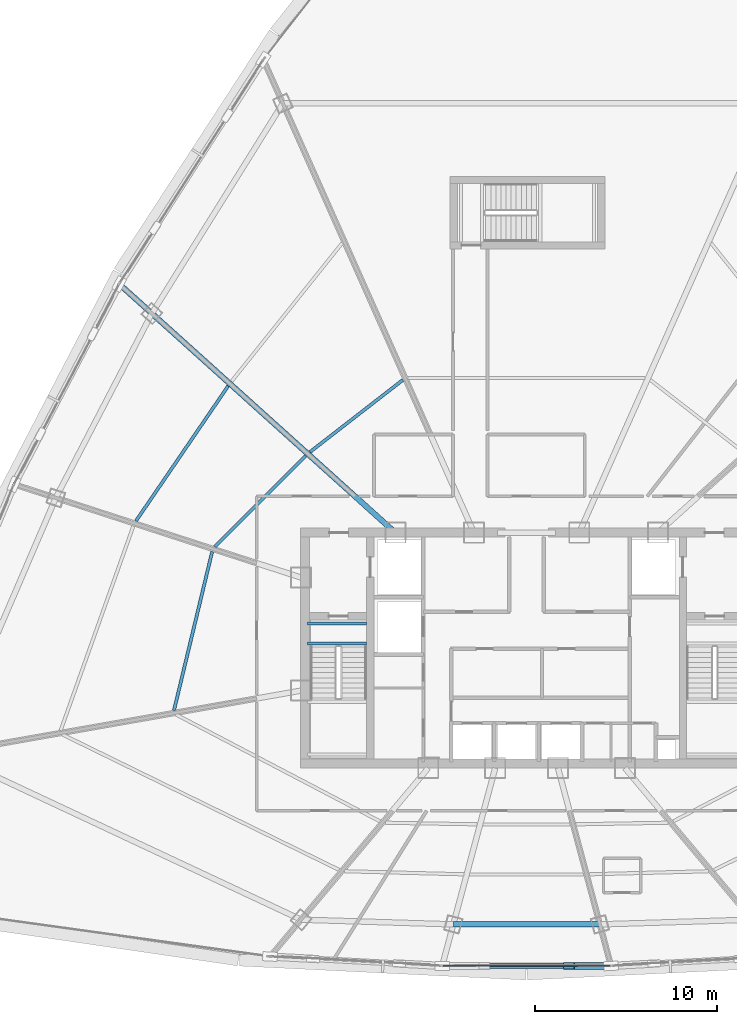
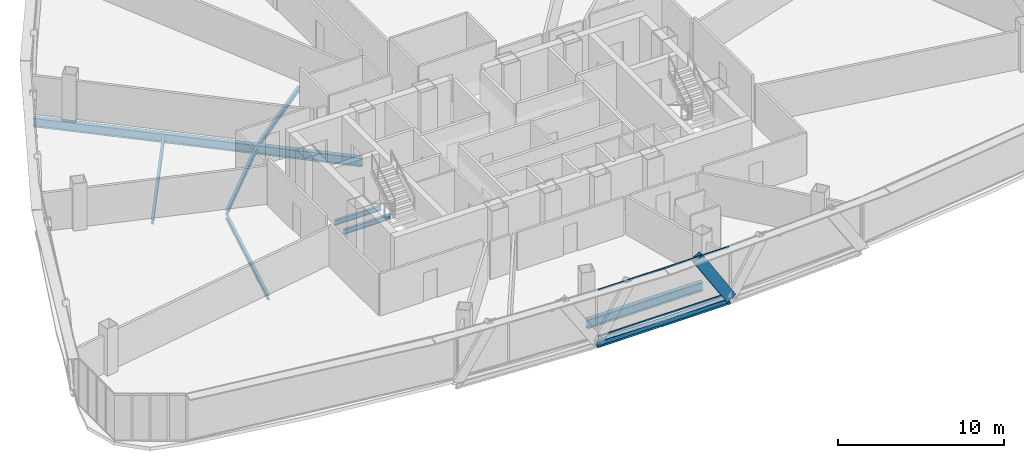
# One storey, part 9 of 37: 9 beams, 3 members, 1 element without a shape of its own.
"""IFC4 building model written with IfcOpenShell, lengths in metres."""

import ifcopenshell
import ifcopenshell.guid

model = None  # the IFC model being written
_history = None  # IfcOwnerHistory: only IFC2X3 demands one
_inside = {}  # id of a spatial element -> (the spatial element, [elements in it])
_under = {}  # id of a project, library or spatial element -> (it, [spatial elements below it])
_declared = {}  # id of a project -> (the project, [libraries it declares])
_typed = {}  # id of a type object -> (the type object, [elements of that type])
_made_of = {}  # id of a material, layer set ... -> (it, [elements and type objects made of it])


def new_model(schema):
    """Start an empty IFC model of exactly this schema.

    Asked for "IFC4X3", IfcOpenShell would pick the latest addendum, in which some entities
    have other attributes; the version numbers below select the first issue.
    IFC2X3 requires an IfcOwnerHistory on every rooted entity: one is made here for all.
    """
    global model, _history
    if schema == "IFC4X3":
        model = ifcopenshell.file(schema_version=(4, 3, 0, 0))
    else:
        model = ifcopenshell.file(schema=schema)
    _inside.clear()
    _under.clear()
    _declared.clear()
    _typed.clear()
    _made_of.clear()
    _history = None
    if model.schema == "IFC2X3":
        org = make("IfcOrganization", Name="unknown")
        user = make(
            "IfcPersonAndOrganization",
            ThePerson=make("IfcPerson", FamilyName="unknown"),
            TheOrganization=org,
        )
        app = make(
            "IfcApplication",
            ApplicationDeveloper=org,
            Version="unknown",
            ApplicationFullName="unknown",
            ApplicationIdentifier="unknown",
        )
        _history = make(
            "IfcOwnerHistory",
            OwningUser=user,
            OwningApplication=app,
            ChangeAction="ADDED",
            CreationDate=0,
        )
    return model


def make(cls, **values):
    """One entity of the class cls with the attributes given. An attribute that is None is left unset."""
    return model.create_entity(
        cls, **{name: value for name, value in values.items() if value is not None}
    )


def rooted(cls, **values):
    """An entity with a GlobalId (a new one), such as an element, a storey or a relation."""
    return make(cls, GlobalId=ifcopenshell.guid.new(), OwnerHistory=_history, **values)


def si_unit(unit_type, name, prefix=None):
    """IfcSIUnit, for example si_unit("LENGTHUNIT", "METRE", prefix="MILLI")."""
    return make("IfcSIUnit", UnitType=unit_type, Prefix=prefix, Name=name)


def assignment(units):
    """IfcUnitAssignment: the units of a project."""
    return None if units is None else make("IfcUnitAssignment", Units=units)


def point(xyz):
    """IfcCartesianPoint."""
    return None if xyz is None else make("IfcCartesianPoint", Coordinates=xyz)


def direction(xyz):
    """IfcDirection."""
    return None if xyz is None else make("IfcDirection", DirectionRatios=xyz)


def frame(location, z_axis=None, x_axis=None):
    """IfcAxis2Placement3D, a coordinate frame: its origin and axes. An axis left out is left unset."""
    return make(
        "IfcAxis2Placement3D",
        Location=point(location),
        Axis=direction(z_axis),
        RefDirection=direction(x_axis),
    )


def frame_2d(location, x_axis=None):
    """IfcAxis2Placement2D, a coordinate frame in the plane: its origin and x axis."""
    return make(
        "IfcAxis2Placement2D", Location=point(location), RefDirection=direction(x_axis)
    )


def origin():
    """The frame at (0, 0, 0) with its axes left unset."""
    return frame((0.0, 0.0, 0.0))


def origin_2d():
    """The frame at (0, 0) in the plane with its x axis left unset."""
    return frame_2d((0.0, 0.0))


def place(relative_to, where):
    """IfcLocalPlacement: puts the frame where relative to a parent placement (None: the world)."""
    return make(
        "IfcLocalPlacement", PlacementRelTo=relative_to, RelativePlacement=where
    )


def context(
    kind, dimensions, precision=None, world=None, true_north=None, identifier=None
):
    """IfcGeometricRepresentationContext, for example the 3D "Model" context."""
    return make(
        "IfcGeometricRepresentationContext",
        ContextIdentifier=identifier,
        ContextType=kind,
        CoordinateSpaceDimension=dimensions,
        Precision=precision,
        WorldCoordinateSystem=world,
        TrueNorth=true_north,
    )


def subcontext(parent, identifier, kind, view, scale=None):
    """IfcGeometricRepresentationSubContext, for example "Body" below "Model"."""
    return make(
        "IfcGeometricRepresentationSubContext",
        ContextIdentifier=identifier,
        ContextType=kind,
        ParentContext=parent,
        TargetScale=scale,
        TargetView=view,
    )


def project(units=None, contexts=None):
    """IfcProject with its units and contexts."""
    return rooted(
        "IfcProject",
        Name="project",
        RepresentationContexts=contexts,
        UnitsInContext=assignment(units),
    )


def spatial(cls, under=None, at=None, **own):
    """A site, building, storey or space (cls), placed at a placement, below another one or the project."""
    s = rooted(cls, ObjectPlacement=at, **own)
    if under is not None:
        _under.setdefault(under.id(), (under, []))[1].append(s)
    return s


def profile(cls, at=None, kind="AREA", **sizes):
    """A parametric profile (cls). Its sizes go by their IFC names, for example OverallWidth=200.0."""
    return make(cls, ProfileType=kind, Position=at, **sizes)


def hollow_rectangle(**sizes):
    """IfcRectangleHollowProfileDef."""
    return profile("IfcRectangleHollowProfileDef", **sizes)


def i_section(**sizes):
    """IfcIShapeProfileDef."""
    return profile("IfcIShapeProfileDef", **sizes)


def extrude(swept, where, along, depth):
    """IfcExtrudedAreaSolid: the profile swept, set in the frame where, extruded along a direction by depth."""
    return make(
        "IfcExtrudedAreaSolid",
        SweptArea=swept,
        Position=where,
        ExtrudedDirection=direction(along),
        Depth=depth,
    )


def shape(context_of_items, identifier, shape_type, items):
    """IfcShapeRepresentation: the items that make up one representation, for example the "Body"."""
    return make(
        "IfcShapeRepresentation",
        ContextOfItems=context_of_items,
        RepresentationIdentifier=identifier,
        RepresentationType=shape_type,
        Items=items,
    )


def source(mapping_origin, context_of_items, identifier, shape_type, items):
    """IfcRepresentationMap: a shape defined once, which mapped items show again and again."""
    return make(
        "IfcRepresentationMap",
        MappingOrigin=mapping_origin,
        MappedRepresentation=shape(context_of_items, identifier, shape_type, items),
    )


def transform(
    local_origin,
    x_axis=None,
    y_axis=None,
    z_axis=None,
    scale=None,
    scale2=None,
    scale3=None,
    uniform=True,
):
    """IfcCartesianTransformationOperator3D, or its non-uniform kind. x_axis, y_axis, z_axis: its Axis1, 2, 3."""
    if uniform:
        return make(
            "IfcCartesianTransformationOperator3D",
            Axis1=direction(x_axis),
            Axis2=direction(y_axis),
            LocalOrigin=point(local_origin),
            Scale=scale,
            Axis3=direction(z_axis),
        )
    return make(
        "IfcCartesianTransformationOperator3DnonUniform",
        Axis1=direction(x_axis),
        Axis2=direction(y_axis),
        LocalOrigin=point(local_origin),
        Scale=scale,
        Axis3=direction(z_axis),
        Scale2=scale2,
        Scale3=scale3,
    )


def mapped(mapping_source, mapping_target):
    """IfcMappedItem: shows the shape of a source again, moved by a transform."""
    return make(
        "IfcMappedItem", MappingSource=mapping_source, MappingTarget=mapping_target
    )


def material(Name=None, Category=None):
    """IfcMaterial."""
    return make("IfcMaterial", Name=Name, Category=Category)


def layer(
    of_material, thickness, ventilated=None, Name=None, Category=None, Priority=None
):
    """IfcMaterialLayer: one layer of a wall or slab, of a material (None: an air gap)."""
    return make(
        "IfcMaterialLayer",
        Material=of_material,
        LayerThickness=thickness,
        IsVentilated=ventilated,
        Name=Name,
        Category=Category,
        Priority=Priority,
    )


def layer_set(layers, Name=None):
    """IfcMaterialLayerSet."""
    return make("IfcMaterialLayerSet", MaterialLayers=layers, LayerSetName=Name)


def material_profile(
    of_material, cross_section, Name=None, Category=None, Priority=None
):
    """IfcMaterialProfile: a cross section and its material."""
    return make(
        "IfcMaterialProfile",
        Name=Name,
        Material=of_material,
        Profile=cross_section,
        Priority=Priority,
        Category=Category,
    )


def profile_set(profiles, Name=None, composite=None):
    """IfcMaterialProfileSet."""
    return make(
        "IfcMaterialProfileSet",
        Name=Name,
        MaterialProfiles=profiles,
        CompositeProfile=composite,
    )


def made_of(thing, what):
    """Note that an element or type object is made of a material, layer set ...; save() writes the relation."""
    if what is not None:
        _made_of.setdefault(what.id(), (what, []))[1].append(thing)
    return thing


def type_object(cls, material=None, **own):
    """A type object (cls), such as IfcWallType, which elements share."""
    return made_of(rooted(cls, **own), material)


def element(
    cls,
    number,
    at=None,
    inside=None,
    cuts=None,
    type_object=None,
    material=None,
    context=None,
    identifier="Body",
    shape_type=None,
    held_by="IfcProductDefinitionShape",
    body=None,
    shapes=None,
    **own,
):
    """One element of the class cls, such as IfcWall. Its Tag is "e" and its number.

    at: its placement. inside: the storey or other place that contains it. cuts: it is an
    opening in that element (IfcRelVoidsElement). A single representation is given by context,
    identifier, shape_type and body (its items); several are given by shapes. held_by: the class
    of the entity that holds the representations. save() writes the other relations.
    """
    e = rooted(cls, Tag="e%d" % number, ObjectPlacement=at, **own)
    if body is not None:
        shapes = [shape(context, identifier, shape_type, body)]
    if shapes is not None:
        e.Representation = make(held_by, Representations=shapes)
    if inside is not None:
        _inside.setdefault(inside.id(), (inside, []))[1].append(e)
    if cuts is not None:
        rooted(
            "IfcRelVoidsElement", RelatingBuildingElement=cuts, RelatedOpeningElement=e
        )
    if type_object is not None:
        _typed.setdefault(type_object.id(), (type_object, []))[1].append(e)
    return made_of(e, material)


def aggregate(whole, parts):
    """IfcRelAggregates: a whole, such as a stair, and the parts it consists of."""
    return rooted("IfcRelAggregates", RelatingObject=whole, RelatedObjects=parts)


def save(model, path):
    """Write the relations noted so far, then the file.

    IfcRelAggregates (storeys below a building ...), IfcRelContainedInSpatialStructure (elements
    in a storey), IfcRelDefinesByType, IfcRelAssociatesMaterial and IfcRelDeclares: one each for
    every whole, place, type object, material and project.
    """
    for whole, parts in _under.values():
        aggregate(whole, parts)
    for where, things in _inside.values():
        rooted(
            "IfcRelContainedInSpatialStructure",
            RelatedElements=things,
            RelatingStructure=where,
        )
    for kind, things in _typed.values():
        rooted("IfcRelDefinesByType", RelatedObjects=things, RelatingType=kind)
    for what, things in _made_of.values():
        rooted("IfcRelAssociatesMaterial", RelatedObjects=things, RelatingMaterial=what)
    for by, libraries in _declared.values():
        rooted("IfcRelDeclares", RelatingContext=by, RelatedDefinitions=libraries)
    model.write(path)


model = new_model("IFC4")

# Units and contexts
model_context = context("Model", 3, precision=1e-05, world=origin(), true_north=direction((0.0, 1.0)))
body_context = subcontext(model_context, "Body", "Model", "MODEL_VIEW")
ifc_project = project(units=[si_unit("LENGTHUNIT", "METRE"), si_unit("AREAUNIT", "SQUARE_METRE"), si_unit("VOLUMEUNIT", "CUBIC_METRE"), si_unit("PLANEANGLEUNIT", "RADIAN"), si_unit("MASSUNIT", "GRAM", prefix="KILO"), si_unit("THERMODYNAMICTEMPERATUREUNIT", "KELVIN"), si_unit("POWERUNIT", "WATT")], contexts=[model_context])

# Site, building, storey
site_placement = place(None, origin())
site = spatial("IfcSite", under=ifc_project, at=site_placement, CompositionType="ELEMENT")
building_placement = place(site_placement, origin())
building = spatial("IfcBuilding", under=site, at=building_placement, Name="Yunzhuo Pagoda Commons", CompositionType="ELEMENT")
storey_placement = place(building_placement, frame((0.0, 0.0, 240.800048828125)))
storey = spatial("IfcBuildingStorey", under=building, at=storey_placement, Name="L60", CompositionType="ELEMENT", Elevation=240.800048828125)

# Beams
ifc_material_1 = material(Name="Structural steel Q355B", Category="steel")
ifc_material_profile_1 = material_profile(ifc_material_1, i_section(OverallWidth=0.175048828125, OverallDepth=0.35009765625, WebThickness=0.007080078125, FlangeThickness=0.010986328125, at=origin_2d()), Name="Structural steel Q355B")
ifc_profile_set_1 = profile_set([ifc_material_profile_1], Name="Structural steel Q355B")
beam_type_1 = type_object("IfcBeamType", Name="B-JS2 Joist HN 350x175x7x11", PredefinedType="JOIST", material=ifc_profile_set_1)
shared_shape_1 = source(origin(), body_context, "Body", "SweptSolid", [
    extrude(i_section(OverallWidth=0.175048828125, OverallDepth=0.35009765625, WebThickness=0.007080078125, FlangeThickness=0.010986328125, at=origin_2d()), origin(), (0.0, 0.0, 1.0), 3.25),
])
for number, where, z_axis, x_axis, name in (
    (1, (35.949951171875, 34.10009765625, -0.375), (1.0, 0.0, 0.0), (0.0, 1.0, 0.0), "L60 ST1 landing support beam 164A"),
    (2, (35.949951171875, 35.199951171875, -0.375), (1.0, 0.0, 0.0), (0.0, 1.0, 0.0), "L60 ST1 landing support beam 164B"),
):
    element("IfcBeam", number, at=place(storey_placement, frame(where, z_axis=z_axis, x_axis=x_axis)), inside=storey, type_object=beam_type_1, Name=name, PredefinedType="JOIST", context=body_context, shape_type="MappedRepresentation", body=[
        mapped(shared_shape_1, transform((0.0, 0.0, 0.0), scale=1.0)),
    ])
ifc_material_profile_2 = material_profile(ifc_material_1, i_section(OverallWidth=0.300048828125, OverallDepth=0.64990234375, WebThickness=0.012939453125, FlangeThickness=0.02197265625, at=origin_2d()), Name="Structural steel Q355B")
ifc_profile_set_2 = profile_set([ifc_material_profile_2], Name="Structural steel Q355B")
beam_type_2 = type_object("IfcBeamType", Name="B-RG2 Beam HN 650x300x13x22", PredefinedType="BEAM", material=ifc_profile_set_2)
shared_shape_2 = source(origin(), body_context, "Body", "SweptSolid", [
    extrude(i_section(OverallWidth=0.300048828125, OverallDepth=0.64990234375, WebThickness=0.012939453125, FlangeThickness=0.02197265625, at=origin_2d()), origin(), (0.0, 0.0, 1.0), 8.06298828125),
])
beam_1_placement = place(storey_placement, frame((43.968505859375, 18.654052734375, -0.5849609375), z_axis=(1.0, 0.0, 0.0), x_axis=(0.0, 1.0, 0.0)))
element("IfcBeam", 3, at=beam_1_placement, inside=storey, type_object=beam_type_2, Name="L60 column-ring beam 2", PredefinedType="BEAM", context=body_context, shape_type="MappedRepresentation", body=[
    mapped(shared_shape_2, transform((0.0, 0.0, 0.0), scale=1.0)),
])
shared_shape_3 = source(origin(), body_context, "Body", "SweptSolid", [
    extrude(i_section(OverallWidth=0.175048828125, OverallDepth=0.35009765625, WebThickness=0.007080078125, FlangeThickness=0.010986328125, at=origin_2d()), origin(), (0.0, 0.0, 1.0), 8.973876953125),
])
beam_2_placement = place(storey_placement, frame((30.703369140625, 39.1533203125, -0.43505859375), z_axis=(-0.233807152827, -0.972282991359, 0.0), x_axis=(0.972282991359, -0.233807152827, 0.0)))
element("IfcBeam", 4, at=beam_2_placement, inside=storey, type_object=beam_type_1, Name="L60 composite ring joist 1.11", PredefinedType="JOIST", context=body_context, shape_type="MappedRepresentation", body=[
    mapped(shared_shape_3, transform((0.0, 0.0, 0.0), scale=1.0)),
])
shared_shape_4 = source(origin(), body_context, "Body", "SweptSolid", [
    extrude(i_section(OverallWidth=0.175048828125, OverallDepth=0.35009765625, WebThickness=0.007080078125, FlangeThickness=0.010986328125, at=origin_2d()), origin(), (0.0, 0.0, 1.0), 7.0732421875),
])
beam_3_placement = place(storey_placement, frame((35.847412109375, 44.4287109375, -0.43505859375), z_axis=(-0.706139657206, -0.708072584218, 0.0), x_axis=(0.708072584218, -0.706139657206, 0.0)))
element("IfcBeam", 5, at=beam_3_placement, inside=storey, type_object=beam_type_1, Name="L60 composite ring joist 1.10", PredefinedType="JOIST", context=body_context, shape_type="MappedRepresentation", body=[
    mapped(shared_shape_4, transform((0.0, 0.0, 0.0), scale=1.0)),
])
shared_shape_5 = source(origin(), body_context, "Body", "SweptSolid", [
    extrude(i_section(OverallWidth=0.175048828125, OverallDepth=0.35009765625, WebThickness=0.007080078125, FlangeThickness=0.010986328125, at=origin_2d()), origin(), (0.0, 0.0, 1.0), 8.99365234375),
])
beam_4_placement = place(storey_placement, frame((31.583984375, 48.268798828125, -0.43505859375), z_axis=(-0.564098900337, -0.825707230584, 0.0), x_axis=(0.825707230584, -0.564098900337, 0.0)))
element("IfcBeam", 6, at=beam_4_placement, inside=storey, type_object=beam_type_1, Name="L60 composite ring joist 2.10", PredefinedType="JOIST", context=body_context, shape_type="MappedRepresentation", body=[
    mapped(shared_shape_5, transform((0.0, 0.0, 0.0), scale=1.0)),
])
shared_shape_6 = source(origin(), body_context, "Body", "SweptSolid", [
    extrude(i_section(OverallWidth=0.175048828125, OverallDepth=0.35009765625, WebThickness=0.007080078125, FlangeThickness=0.010986328125, at=origin_2d()), origin(), (0.0, 0.0, 1.0), 6.4677734375),
])
beam_5_placement = place(storey_placement, frame((41.19580078125, 48.602783203125, -0.43505859375), z_axis=(-0.790160481991, -0.612900002202, 0.0), x_axis=(0.612900002202, -0.790160481991, 0.0)))
element("IfcBeam", 7, at=beam_5_placement, inside=storey, type_object=beam_type_1, Name="L60 composite ring joist 1.9", PredefinedType="JOIST", context=body_context, shape_type="MappedRepresentation", body=[
    mapped(shared_shape_6, transform((0.0, 0.0, 0.0), scale=1.0)),
])
shared_shape_7 = source(origin(), body_context, "Body", "SweptSolid", [
    extrude(i_section(OverallWidth=0.300048828125, OverallDepth=0.64990234375, WebThickness=0.012939453125, FlangeThickness=0.02197265625, at=origin_2d()), origin(), (0.0, 0.0, 1.0), 20.288818359375),
])
beam_6_placement = place(storey_placement, frame((25.70361328125, 53.77587890625, -0.5849609375), z_axis=(0.743140353035, -0.669135573477, 0.0), x_axis=(0.669135573477, 0.743140353035, 0.0)))
element("IfcBeam", 8, at=beam_6_placement, inside=storey, type_object=beam_type_2, Name="L60 radial floor girder F3C2", PredefinedType="BEAM", context=body_context, shape_type="MappedRepresentation", body=[
    mapped(shared_shape_7, transform((0.0, 0.0, 0.0), scale=1.0)),
])
ifc_material_profile_3 = material_profile(ifc_material_1, i_section(OverallWidth=0.300048828125, OverallDepth=0.43994140625, WebThickness=0.010986328125, FlangeThickness=0.01806640625, at=origin_2d()), Name="Structural steel Q355B")
ifc_profile_set_3 = profile_set([ifc_material_profile_3], Name="Structural steel Q355B")
beam_type_3 = type_object("IfcBeamType", Name="B-SP2 Beam HM 440x300x11x18", PredefinedType="BEAM", material=ifc_profile_set_3)
shared_shape_8 = source(origin(), body_context, "Body", "SweptSolid", [
    extrude(i_section(OverallWidth=0.300048828125, OverallDepth=0.43994140625, WebThickness=0.010986328125, FlangeThickness=0.01806640625, at=origin_2d()), origin(), (0.0, 0.0, 1.0), 9.28759765625),
])
beam_7_placement = place(storey_placement, frame((43.356201171875, 16.36865234375, -0.47998046875), z_axis=(1.0, 0.0, 0.0), x_axis=(0.0, 1.0, 0.0)))
element("IfcBeam", 9, at=beam_7_placement, inside=storey, type_object=beam_type_3, Name="L60 facade edge spandrel beam F1.2", PredefinedType="BEAM", context=body_context, shape_type="MappedRepresentation", body=[
    mapped(shared_shape_8, transform((0.0, 0.0, 0.0), scale=1.0)),
])

# Member
ifc_material_profile_4 = material_profile(ifc_material_1, hollow_rectangle(XDim=0.39990234375, YDim=0.719970703125, WallThickness=0.02392578125, at=origin_2d()), Name="Structural steel Q355B")
ifc_profile_set_4 = profile_set([ifc_material_profile_4], Name="Structural steel Q355B")
member_type_1 = type_object("IfcMemberType", Name="M-DL2 Brace BOX 720x400x24", PredefinedType="BRACE", material=ifc_profile_set_4)
shared_shape_9 = source(origin(), body_context, "Body", "SweptSolid", [
    extrude(hollow_rectangle(XDim=0.39990234375, YDim=0.719970703125, WallThickness=0.02392578125, at=origin_2d()), origin(), (0.0, 0.0, 1.0), 4.3935546875),
])
member_1_placement = place(storey_placement, frame((52.643798828125, 16.36865234375, -0.260009765625), z_axis=(-0.528384670698, 0.0, 0.849005088189), x_axis=(0.0, -1.0, 0.0)))
element("IfcMember", 10, at=member_1_placement, inside=storey, type_object=member_type_1, Name="L60 facade diamond brace F1.2R", PredefinedType="BRACE", context=body_context, shape_type="MappedRepresentation", body=[
    mapped(shared_shape_9, transform((0.0, 0.0, 0.0), scale=1.0)),
])

# Curtain wall, members
ifc_material_2 = material(Name="Anodized aluminium 6063-T6", Category="aluminium")
ifc_layer = layer(ifc_material_2, 0.139892578125)
ifc_layer_set = layer_set([ifc_layer], Name="Anodized aluminium 6063-T6")
curtain_wall_type = type_object("IfcCurtainWallType", Name="CW-HI High-Zone Ribbon Curtain Wall", PredefinedType="NOTDEFINED", material=ifc_layer_set)
curtain_wall_placement = place(storey_placement, origin())
curtain_wall = element("IfcCurtainWall", 11, at=curtain_wall_placement, inside=storey, type_object=curtain_wall_type, Name="L60 curtain wall CW-L60-F1B3", PredefinedType="NOTDEFINED")
ifc_material_profile_5 = material_profile(ifc_material_2, hollow_rectangle(XDim=0.054931640625, YDim=0.1201171875, WallThickness=0.00341796875, at=origin_2d()), Name="Anodized aluminium 6063-T6")
ifc_profile_set_5 = profile_set([ifc_material_profile_5], Name="Anodized aluminium 6063-T6")
member_type_2 = type_object("IfcMemberType", Name="CW-HI-T Transom RHS 120x55x3.5", PredefinedType="USERDEFINED", material=ifc_profile_set_5)
shared_shape_10 = source(origin(), body_context, "Body", "SweptSolid", [
    extrude(hollow_rectangle(XDim=0.054931640625, YDim=0.1201171875, WallThickness=0.00341796875, at=origin_2d()), origin(), (0.0, 0.0, 1.0), 9.16796875),
])
member_2_placement = place(storey_placement, frame((43.416015625, 16.36865234375, 0.02734375), z_axis=(1.0, 0.0, 0.0), x_axis=(0.0, 1.0, 0.0)))
member_2 = element("IfcMember", 12, at=member_2_placement, type_object=member_type_2, Name="CW transom 1.1", ObjectType="TRANSOM", PredefinedType="USERDEFINED", context=body_context, shape_type="MappedRepresentation", body=[
    mapped(shared_shape_10, transform((0.0, 0.0, 0.0), scale=1.0)),
])
member_3_placement = place(storey_placement, frame((43.416015625, 16.36865234375, 3.4423828125), z_axis=(1.0, 0.0, 0.0), x_axis=(0.0, 1.0, 0.0)))
member_3 = element("IfcMember", 13, at=member_3_placement, type_object=member_type_2, Name="CW transom 1.2", ObjectType="TRANSOM", PredefinedType="USERDEFINED", context=body_context, shape_type="MappedRepresentation", body=[
    mapped(shared_shape_10, transform((0.0, 0.0, 0.0), scale=1.0)),
])
aggregate(curtain_wall, [member_2, member_3])

save(model, "model.ifc")
